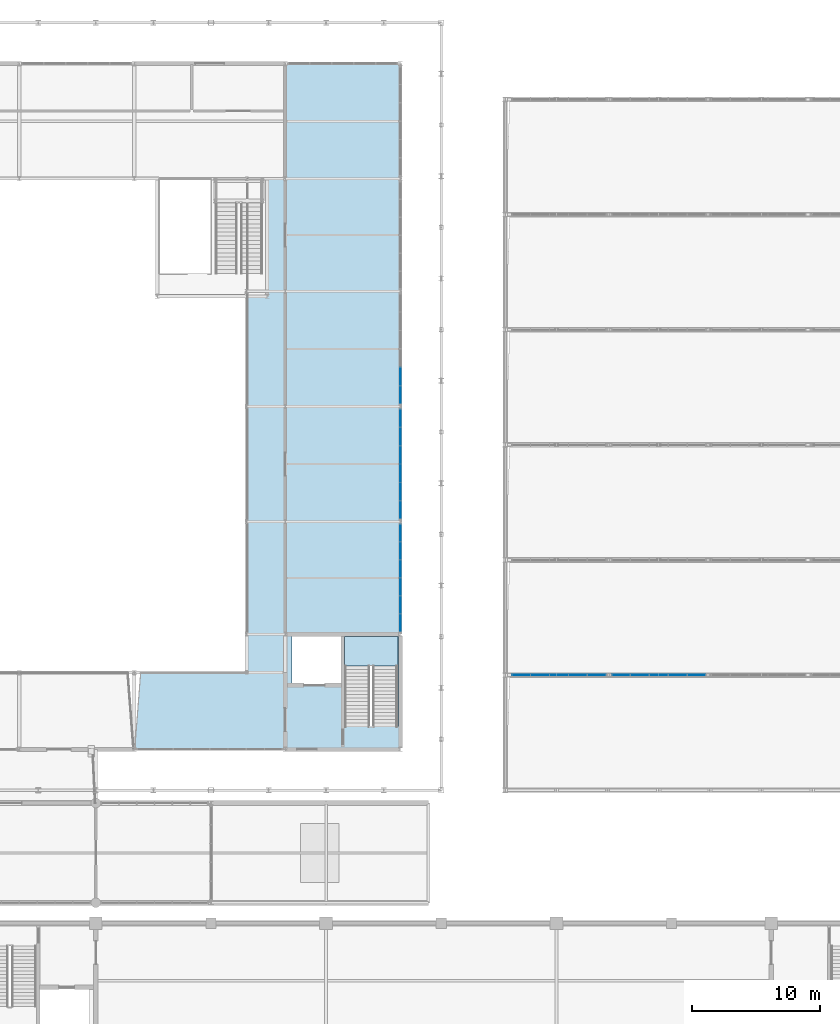
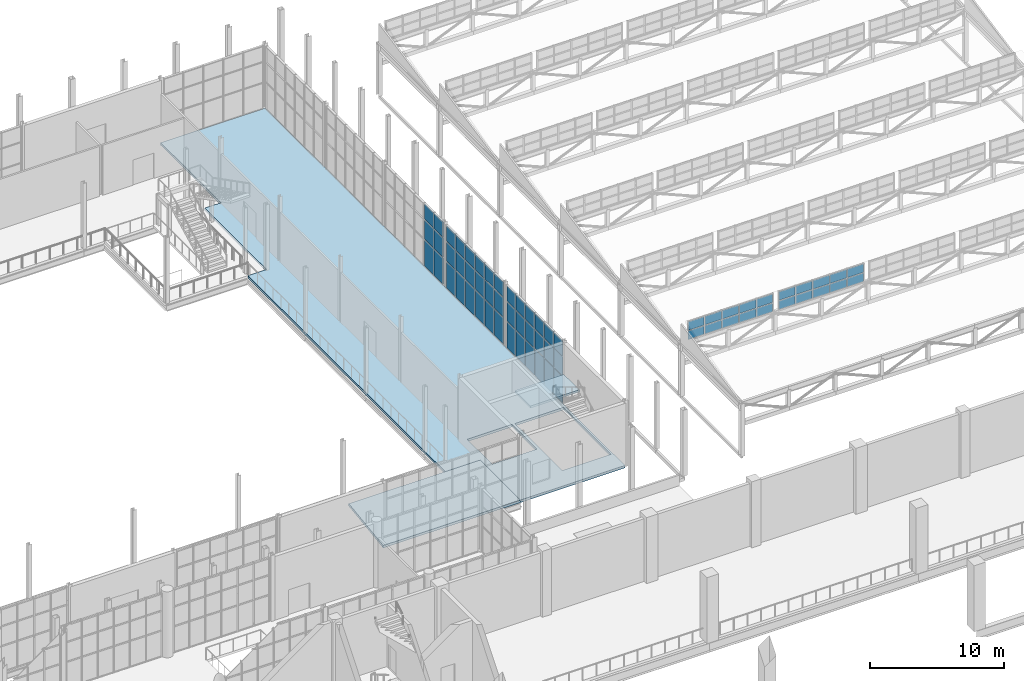
# One storey, part 113 of 159: 62 plates, 3 slabs, 6 elements without a shape of their own.
"""IFC4 building model written with IfcOpenShell, lengths in metres."""

import ifcopenshell
import ifcopenshell.guid

model = None  # the IFC model being written
_history = None  # IfcOwnerHistory: only IFC2X3 demands one
_inside = {}  # id of a spatial element -> (the spatial element, [elements in it])
_under = {}  # id of a project, library or spatial element -> (it, [spatial elements below it])
_declared = {}  # id of a project -> (the project, [libraries it declares])
_typed = {}  # id of a type object -> (the type object, [elements of that type])
_made_of = {}  # id of a material, layer set ... -> (it, [elements and type objects made of it])


def new_model(schema):
    """Start an empty IFC model of exactly this schema.

    Asked for "IFC4X3", IfcOpenShell would pick the latest addendum, in which some entities
    have other attributes; the version numbers below select the first issue.
    IFC2X3 requires an IfcOwnerHistory on every rooted entity: one is made here for all.
    """
    global model, _history
    if schema == "IFC4X3":
        model = ifcopenshell.file(schema_version=(4, 3, 0, 0))
    else:
        model = ifcopenshell.file(schema=schema)
    _inside.clear()
    _under.clear()
    _declared.clear()
    _typed.clear()
    _made_of.clear()
    _history = None
    if model.schema == "IFC2X3":
        org = make("IfcOrganization", Name="unknown")
        user = make(
            "IfcPersonAndOrganization",
            ThePerson=make("IfcPerson", FamilyName="unknown"),
            TheOrganization=org,
        )
        app = make(
            "IfcApplication",
            ApplicationDeveloper=org,
            Version="unknown",
            ApplicationFullName="unknown",
            ApplicationIdentifier="unknown",
        )
        _history = make(
            "IfcOwnerHistory",
            OwningUser=user,
            OwningApplication=app,
            ChangeAction="ADDED",
            CreationDate=0,
        )
    return model


def make(cls, **values):
    """One entity of the class cls with the attributes given. An attribute that is None is left unset."""
    return model.create_entity(
        cls, **{name: value for name, value in values.items() if value is not None}
    )


def rooted(cls, **values):
    """An entity with a GlobalId (a new one), such as an element, a storey or a relation."""
    return make(cls, GlobalId=ifcopenshell.guid.new(), OwnerHistory=_history, **values)


def si_unit(unit_type, name, prefix=None):
    """IfcSIUnit, for example si_unit("LENGTHUNIT", "METRE", prefix="MILLI")."""
    return make("IfcSIUnit", UnitType=unit_type, Prefix=prefix, Name=name)


def assignment(units):
    """IfcUnitAssignment: the units of a project."""
    return None if units is None else make("IfcUnitAssignment", Units=units)


def point(xyz):
    """IfcCartesianPoint."""
    return None if xyz is None else make("IfcCartesianPoint", Coordinates=xyz)


def direction(xyz):
    """IfcDirection."""
    return None if xyz is None else make("IfcDirection", DirectionRatios=xyz)


def frame(location, z_axis=None, x_axis=None):
    """IfcAxis2Placement3D, a coordinate frame: its origin and axes. An axis left out is left unset."""
    return make(
        "IfcAxis2Placement3D",
        Location=point(location),
        Axis=direction(z_axis),
        RefDirection=direction(x_axis),
    )


def frame_2d(location, x_axis=None):
    """IfcAxis2Placement2D, a coordinate frame in the plane: its origin and x axis."""
    return make(
        "IfcAxis2Placement2D", Location=point(location), RefDirection=direction(x_axis)
    )


def origin():
    """The frame at (0, 0, 0) with its axes left unset."""
    return frame((0.0, 0.0, 0.0))


def origin_2d():
    """The frame at (0, 0) in the plane with its x axis left unset."""
    return frame_2d((0.0, 0.0))


def place(relative_to, where):
    """IfcLocalPlacement: puts the frame where relative to a parent placement (None: the world)."""
    return make(
        "IfcLocalPlacement", PlacementRelTo=relative_to, RelativePlacement=where
    )


def context(
    kind, dimensions, precision=None, world=None, true_north=None, identifier=None
):
    """IfcGeometricRepresentationContext, for example the 3D "Model" context."""
    return make(
        "IfcGeometricRepresentationContext",
        ContextIdentifier=identifier,
        ContextType=kind,
        CoordinateSpaceDimension=dimensions,
        Precision=precision,
        WorldCoordinateSystem=world,
        TrueNorth=true_north,
    )


def subcontext(parent, identifier, kind, view, scale=None):
    """IfcGeometricRepresentationSubContext, for example "Body" below "Model"."""
    return make(
        "IfcGeometricRepresentationSubContext",
        ContextIdentifier=identifier,
        ContextType=kind,
        ParentContext=parent,
        TargetScale=scale,
        TargetView=view,
    )


def project(units=None, contexts=None):
    """IfcProject with its units and contexts."""
    return rooted(
        "IfcProject",
        Name="project",
        RepresentationContexts=contexts,
        UnitsInContext=assignment(units),
    )


def spatial(cls, under=None, at=None, **own):
    """A site, building, storey or space (cls), placed at a placement, below another one or the project."""
    s = rooted(cls, ObjectPlacement=at, **own)
    if under is not None:
        _under.setdefault(under.id(), (under, []))[1].append(s)
    return s


def polyline(points):
    """IfcPolyline through the points."""
    return make("IfcPolyline", Points=[point(p) for p in points])


def profile(cls, at=None, kind="AREA", **sizes):
    """A parametric profile (cls). Its sizes go by their IFC names, for example OverallWidth=200.0."""
    return make(cls, ProfileType=kind, Position=at, **sizes)


def rectangle(**sizes):
    """IfcRectangleProfileDef."""
    return profile("IfcRectangleProfileDef", **sizes)


def outline(outer, holes=None, kind="AREA"):
    """IfcArbitraryClosedProfileDef: a profile drawn as a closed curve; with holes, ...WithVoids."""
    if holes is None:
        return make("IfcArbitraryClosedProfileDef", ProfileType=kind, OuterCurve=outer)
    return make(
        "IfcArbitraryProfileDefWithVoids",
        ProfileType=kind,
        OuterCurve=outer,
        InnerCurves=holes,
    )


def extrude(swept, where, along, depth):
    """IfcExtrudedAreaSolid: the profile swept, set in the frame where, extruded along a direction by depth."""
    return make(
        "IfcExtrudedAreaSolid",
        SweptArea=swept,
        Position=where,
        ExtrudedDirection=direction(along),
        Depth=depth,
    )


def shape(context_of_items, identifier, shape_type, items):
    """IfcShapeRepresentation: the items that make up one representation, for example the "Body"."""
    return make(
        "IfcShapeRepresentation",
        ContextOfItems=context_of_items,
        RepresentationIdentifier=identifier,
        RepresentationType=shape_type,
        Items=items,
    )


def material(Name=None, Category=None):
    """IfcMaterial."""
    return make("IfcMaterial", Name=Name, Category=Category)


def layer(
    of_material, thickness, ventilated=None, Name=None, Category=None, Priority=None
):
    """IfcMaterialLayer: one layer of a wall or slab, of a material (None: an air gap)."""
    return make(
        "IfcMaterialLayer",
        Material=of_material,
        LayerThickness=thickness,
        IsVentilated=ventilated,
        Name=Name,
        Category=Category,
        Priority=Priority,
    )


def layer_set(layers, Name=None):
    """IfcMaterialLayerSet."""
    return make("IfcMaterialLayerSet", MaterialLayers=layers, LayerSetName=Name)


def made_of(thing, what):
    """Note that an element or type object is made of a material, layer set ...; save() writes the relation."""
    if what is not None:
        _made_of.setdefault(what.id(), (what, []))[1].append(thing)
    return thing


def type_object(cls, material=None, **own):
    """A type object (cls), such as IfcWallType, which elements share."""
    return made_of(rooted(cls, **own), material)


def element(
    cls,
    number,
    at=None,
    inside=None,
    cuts=None,
    type_object=None,
    material=None,
    context=None,
    identifier="Body",
    shape_type=None,
    held_by="IfcProductDefinitionShape",
    body=None,
    shapes=None,
    **own,
):
    """One element of the class cls, such as IfcWall. Its Tag is "e" and its number.

    at: its placement. inside: the storey or other place that contains it. cuts: it is an
    opening in that element (IfcRelVoidsElement). A single representation is given by context,
    identifier, shape_type and body (its items); several are given by shapes. held_by: the class
    of the entity that holds the representations. save() writes the other relations.
    """
    e = rooted(cls, Tag="e%d" % number, ObjectPlacement=at, **own)
    if body is not None:
        shapes = [shape(context, identifier, shape_type, body)]
    if shapes is not None:
        e.Representation = make(held_by, Representations=shapes)
    if inside is not None:
        _inside.setdefault(inside.id(), (inside, []))[1].append(e)
    if cuts is not None:
        rooted(
            "IfcRelVoidsElement", RelatingBuildingElement=cuts, RelatedOpeningElement=e
        )
    if type_object is not None:
        _typed.setdefault(type_object.id(), (type_object, []))[1].append(e)
    return made_of(e, material)


def aggregate(whole, parts):
    """IfcRelAggregates: a whole, such as a stair, and the parts it consists of."""
    return rooted("IfcRelAggregates", RelatingObject=whole, RelatedObjects=parts)


def save(model, path):
    """Write the relations noted so far, then the file.

    IfcRelAggregates (storeys below a building ...), IfcRelContainedInSpatialStructure (elements
    in a storey), IfcRelDefinesByType, IfcRelAssociatesMaterial and IfcRelDeclares: one each for
    every whole, place, type object, material and project.
    """
    for whole, parts in _under.values():
        aggregate(whole, parts)
    for where, things in _inside.values():
        rooted(
            "IfcRelContainedInSpatialStructure",
            RelatedElements=things,
            RelatingStructure=where,
        )
    for kind, things in _typed.values():
        rooted("IfcRelDefinesByType", RelatedObjects=things, RelatingType=kind)
    for what, things in _made_of.values():
        rooted("IfcRelAssociatesMaterial", RelatedObjects=things, RelatingMaterial=what)
    for by, libraries in _declared.values():
        rooted("IfcRelDeclares", RelatingContext=by, RelatedDefinitions=libraries)
    model.write(path)


model = new_model("IFC4")

# Units and contexts
model_context = context("Model", 3, precision=1e-05, world=origin(), true_north=direction((0.0, 1.0)))
body_context = subcontext(model_context, "Body", "Model", "MODEL_VIEW")
ifc_project = project(units=[si_unit("LENGTHUNIT", "METRE"), si_unit("AREAUNIT", "SQUARE_METRE"), si_unit("VOLUMEUNIT", "CUBIC_METRE"), si_unit("PLANEANGLEUNIT", "RADIAN"), si_unit("MASSUNIT", "GRAM", prefix="KILO")], contexts=[model_context])

# Site, building, storey
site_placement = place(None, origin())
site = spatial("IfcSite", under=ifc_project, at=site_placement, CompositionType="ELEMENT")
building_placement = place(site_placement, origin())
building = spatial("IfcBuilding", under=site, at=building_placement, Name="Cazmaro Siding Exhibition Halls", CompositionType="ELEMENT")
storey_placement = place(building_placement, frame((0.0, 0.0, 6.0)))
storey = spatial("IfcBuildingStorey", under=building, at=storey_placement, Name="L01", CompositionType="ELEMENT", Elevation=6.0)

# Curtain wall, plates
ifc_material_1 = material(Name="Anodized Bronze Aluminum and Solar-Control Low-E Glazing", Category="aluminium")
ifc_layer_1 = layer(ifc_material_1, 0.219970703125)
ifc_layer_set_1 = layer_set([ifc_layer_1], Name="Anodized Bronze Aluminum and Solar-Control Low-E Glazing")
curtain_wall_type_1 = type_object("IfcCurtainWallType", Name="CWS-03", PredefinedType="USERDEFINED", material=ifc_layer_set_1)
curtain_wall_1_placement = place(storey_placement, origin())
curtain_wall_1 = element("IfcCurtainWall", 1, at=curtain_wall_1_placement, inside=storey, type_object=curtain_wall_type_1, Name="Glazed Curtain Wall CWS-03 CW-066", ObjectType="GLAZED CURTAIN WALL", PredefinedType="USERDEFINED")
ifc_material_2 = material(Name="Solar-Control Low-E Double Insulating Glass", Category="glass")
ifc_layer_2 = layer(ifc_material_2, 0.0458984375)
ifc_layer_set_2 = layer_set([ifc_layer_2], Name="Solar-Control Low-E Double Insulating Glass")
plate_type_1 = type_object("IfcPlateType", Name="CWP-03", PredefinedType="CURTAIN_PANEL", material=ifc_layer_set_2)
plate_1_placement = place(storey_placement, frame((167.800048828125, 77.098388671875, 0.070068359375), z_axis=(0.0, 0.0, 1.0), x_axis=(0.0, 1.0, 0.0)))
plate_1 = element("IfcPlate", 2, at=plate_1_placement, type_object=plate_type_1, Name="CWS-03 panel 1.1", PredefinedType="CURTAIN_PANEL", context=body_context, shape_type="SweptSolid", body=[
    extrude(rectangle(XDim=1.302734375, YDim=0.0458984375, at=origin_2d()), origin(), (0.0, 0.0, 1.0), 2.39501953125),
])
plate_2_placement = place(storey_placement, frame((167.800048828125, 77.098388671875, 2.534912109375), z_axis=(0.0, 0.0, 1.0), x_axis=(0.0, 1.0, 0.0)))
plate_2 = element("IfcPlate", 3, at=plate_2_placement, type_object=plate_type_1, Name="CWS-03 panel 1.2", PredefinedType="CURTAIN_PANEL", context=body_context, shape_type="SweptSolid", body=[
    extrude(rectangle(XDim=1.302734375, YDim=0.0458984375, at=origin_2d()), origin(), (0.0, 0.0, 1.0), 1.72998046875),
])
plate_3_placement = place(storey_placement, frame((167.800048828125, 77.098388671875, 4.3349609375), z_axis=(0.0, 0.0, 1.0), x_axis=(0.0, 1.0, 0.0)))
plate_3 = element("IfcPlate", 4, at=plate_3_placement, type_object=plate_type_1, Name="CWS-03 panel 1.3", PredefinedType="CURTAIN_PANEL", context=body_context, shape_type="SweptSolid", body=[
    extrude(rectangle(XDim=1.302734375, YDim=0.0458984375, at=origin_2d()), origin(), (0.0, 0.0, 1.0), 1.375),
])
plate_4_placement = place(storey_placement, frame((167.800048828125, 78.488525390625, 0.070068359375), z_axis=(0.0, 0.0, 1.0), x_axis=(0.0, 1.0, 0.0)))
plate_4 = element("IfcPlate", 5, at=plate_4_placement, type_object=plate_type_1, Name="CWS-03 panel 2.1", PredefinedType="CURTAIN_PANEL", context=body_context, shape_type="SweptSolid", body=[
    extrude(rectangle(XDim=1.337646484375, YDim=0.0458984375, at=origin_2d()), origin(), (0.0, 0.0, 1.0), 2.39501953125),
])
plate_5_placement = place(storey_placement, frame((167.800048828125, 78.488525390625, 2.534912109375), z_axis=(0.0, 0.0, 1.0), x_axis=(0.0, 1.0, 0.0)))
plate_5 = element("IfcPlate", 6, at=plate_5_placement, type_object=plate_type_1, Name="CWS-03 panel 2.2", PredefinedType="CURTAIN_PANEL", context=body_context, shape_type="SweptSolid", body=[
    extrude(rectangle(XDim=1.337646484375, YDim=0.0458984375, at=origin_2d()), origin(), (0.0, 0.0, 1.0), 1.72998046875),
])
plate_6_placement = place(storey_placement, frame((167.800048828125, 78.488525390625, 4.3349609375), z_axis=(0.0, 0.0, 1.0), x_axis=(0.0, 1.0, 0.0)))
plate_6 = element("IfcPlate", 7, at=plate_6_placement, type_object=plate_type_1, Name="CWS-03 panel 2.3", PredefinedType="CURTAIN_PANEL", context=body_context, shape_type="SweptSolid", body=[
    extrude(rectangle(XDim=1.337646484375, YDim=0.0458984375, at=origin_2d()), origin(), (0.0, 0.0, 1.0), 1.375),
])
plate_7_placement = place(storey_placement, frame((167.800048828125, 79.896240234375, 0.070068359375), z_axis=(0.0, 0.0, 1.0), x_axis=(0.0, 1.0, 0.0)))
plate_7 = element("IfcPlate", 8, at=plate_7_placement, type_object=plate_type_1, Name="CWS-03 panel 3.1", PredefinedType="CURTAIN_PANEL", context=body_context, shape_type="SweptSolid", body=[
    extrude(rectangle(XDim=1.337646484375, YDim=0.0458984375, at=origin_2d()), origin(), (0.0, 0.0, 1.0), 2.39501953125),
])
plate_8_placement = place(storey_placement, frame((167.800048828125, 79.896240234375, 2.534912109375), z_axis=(0.0, 0.0, 1.0), x_axis=(0.0, 1.0, 0.0)))
plate_8 = element("IfcPlate", 9, at=plate_8_placement, type_object=plate_type_1, Name="CWS-03 panel 3.2", PredefinedType="CURTAIN_PANEL", context=body_context, shape_type="SweptSolid", body=[
    extrude(rectangle(XDim=1.337646484375, YDim=0.0458984375, at=origin_2d()), origin(), (0.0, 0.0, 1.0), 1.72998046875),
])
plate_9_placement = place(storey_placement, frame((167.800048828125, 79.896240234375, 4.3349609375), z_axis=(0.0, 0.0, 1.0), x_axis=(0.0, 1.0, 0.0)))
plate_9 = element("IfcPlate", 10, at=plate_9_placement, type_object=plate_type_1, Name="CWS-03 panel 3.3", PredefinedType="CURTAIN_PANEL", context=body_context, shape_type="SweptSolid", body=[
    extrude(rectangle(XDim=1.337646484375, YDim=0.0458984375, at=origin_2d()), origin(), (0.0, 0.0, 1.0), 1.375),
])
plate_10_placement = place(storey_placement, frame((167.800048828125, 81.303955078125, 0.070068359375), z_axis=(0.0, 0.0, 1.0), x_axis=(0.0, 1.0, 0.0)))
plate_10 = element("IfcPlate", 11, at=plate_10_placement, type_object=plate_type_1, Name="CWS-03 panel 4.1", PredefinedType="CURTAIN_PANEL", context=body_context, shape_type="SweptSolid", body=[
    extrude(rectangle(XDim=1.337646484375, YDim=0.0458984375, at=origin_2d()), origin(), (0.0, 0.0, 1.0), 2.39501953125),
])
plate_11_placement = place(storey_placement, frame((167.800048828125, 81.303955078125, 2.534912109375), z_axis=(0.0, 0.0, 1.0), x_axis=(0.0, 1.0, 0.0)))
plate_11 = element("IfcPlate", 12, at=plate_11_placement, type_object=plate_type_1, Name="CWS-03 panel 4.2", PredefinedType="CURTAIN_PANEL", context=body_context, shape_type="SweptSolid", body=[
    extrude(rectangle(XDim=1.337646484375, YDim=0.0458984375, at=origin_2d()), origin(), (0.0, 0.0, 1.0), 1.72998046875),
])
plate_12_placement = place(storey_placement, frame((167.800048828125, 81.303955078125, 4.3349609375), z_axis=(0.0, 0.0, 1.0), x_axis=(0.0, 1.0, 0.0)))
plate_12 = element("IfcPlate", 13, at=plate_12_placement, type_object=plate_type_1, Name="CWS-03 panel 4.3", PredefinedType="CURTAIN_PANEL", context=body_context, shape_type="SweptSolid", body=[
    extrude(rectangle(XDim=1.337646484375, YDim=0.0458984375, at=origin_2d()), origin(), (0.0, 0.0, 1.0), 1.375),
])
plate_13_placement = place(storey_placement, frame((167.800048828125, 82.71142578125, 0.070068359375), z_axis=(0.0, 0.0, 1.0), x_axis=(0.0, 1.0, 0.0)))
plate_13 = element("IfcPlate", 14, at=plate_13_placement, type_object=plate_type_1, Name="CWS-03 panel 5.1", PredefinedType="CURTAIN_PANEL", context=body_context, shape_type="SweptSolid", body=[
    extrude(rectangle(XDim=1.337646484375, YDim=0.0458984375, at=origin_2d()), origin(), (0.0, 0.0, 1.0), 2.39501953125),
])
plate_14_placement = place(storey_placement, frame((167.800048828125, 82.71142578125, 2.534912109375), z_axis=(0.0, 0.0, 1.0), x_axis=(0.0, 1.0, 0.0)))
plate_14 = element("IfcPlate", 15, at=plate_14_placement, type_object=plate_type_1, Name="CWS-03 panel 5.2", PredefinedType="CURTAIN_PANEL", context=body_context, shape_type="SweptSolid", body=[
    extrude(rectangle(XDim=1.337646484375, YDim=0.0458984375, at=origin_2d()), origin(), (0.0, 0.0, 1.0), 1.72998046875),
])
plate_15_placement = place(storey_placement, frame((167.800048828125, 82.71142578125, 4.3349609375), z_axis=(0.0, 0.0, 1.0), x_axis=(0.0, 1.0, 0.0)))
plate_15 = element("IfcPlate", 16, at=plate_15_placement, type_object=plate_type_1, Name="CWS-03 panel 5.3", PredefinedType="CURTAIN_PANEL", context=body_context, shape_type="SweptSolid", body=[
    extrude(rectangle(XDim=1.337646484375, YDim=0.0458984375, at=origin_2d()), origin(), (0.0, 0.0, 1.0), 1.375),
])
plate_16_placement = place(storey_placement, frame((167.800048828125, 84.1015625, 0.070068359375), z_axis=(0.0, 0.0, 1.0), x_axis=(0.0, 1.0, 0.0)))
plate_16 = element("IfcPlate", 17, at=plate_16_placement, type_object=plate_type_1, Name="CWS-03 panel 6.1", PredefinedType="CURTAIN_PANEL", context=body_context, shape_type="SweptSolid", body=[
    extrude(rectangle(XDim=1.302734375, YDim=0.0458984375, at=origin_2d()), origin(), (0.0, 0.0, 1.0), 2.39501953125),
])
plate_17_placement = place(storey_placement, frame((167.800048828125, 84.1015625, 2.534912109375), z_axis=(0.0, 0.0, 1.0), x_axis=(0.0, 1.0, 0.0)))
plate_17 = element("IfcPlate", 18, at=plate_17_placement, type_object=plate_type_1, Name="CWS-03 panel 6.2", PredefinedType="CURTAIN_PANEL", context=body_context, shape_type="SweptSolid", body=[
    extrude(rectangle(XDim=1.302734375, YDim=0.0458984375, at=origin_2d()), origin(), (0.0, 0.0, 1.0), 1.72998046875),
])
plate_18_placement = place(storey_placement, frame((167.800048828125, 84.1015625, 4.3349609375), z_axis=(0.0, 0.0, 1.0), x_axis=(0.0, 1.0, 0.0)))
plate_18 = element("IfcPlate", 19, at=plate_18_placement, type_object=plate_type_1, Name="CWS-03 panel 6.3", PredefinedType="CURTAIN_PANEL", context=body_context, shape_type="SweptSolid", body=[
    extrude(rectangle(XDim=1.302734375, YDim=0.0458984375, at=origin_2d()), origin(), (0.0, 0.0, 1.0), 1.375),
])
aggregate(curtain_wall_1, [plate_1, plate_2, plate_3, plate_4, plate_5, plate_6, plate_7, plate_8, plate_9, plate_10, plate_11, plate_12, plate_13, plate_14, plate_15, plate_16, plate_17, plate_18])

curtain_wall_2_placement = place(storey_placement, origin())
curtain_wall_2 = element("IfcCurtainWall", 20, at=curtain_wall_2_placement, inside=storey, type_object=curtain_wall_type_1, Name="Glazed Curtain Wall CWS-03 CW-069", ObjectType="GLAZED CURTAIN WALL", PredefinedType="USERDEFINED")
plate_19_placement = place(storey_placement, frame((167.800048828125, 85.9150390625, 0.070068359375), z_axis=(0.0, 0.0, 1.0), x_axis=(0.0, 1.0, 0.0)))
plate_19 = element("IfcPlate", 21, at=plate_19_placement, type_object=plate_type_1, Name="CWS-03 panel 1.1", PredefinedType="CURTAIN_PANEL", context=body_context, shape_type="SweptSolid", body=[
    extrude(rectangle(XDim=1.3359375, YDim=0.0458984375, at=origin_2d()), origin(), (0.0, 0.0, 1.0), 2.39501953125),
])
plate_20_placement = place(storey_placement, frame((167.800048828125, 85.9150390625, 2.534912109375), z_axis=(0.0, 0.0, 1.0), x_axis=(0.0, 1.0, 0.0)))
plate_20 = element("IfcPlate", 22, at=plate_20_placement, type_object=plate_type_1, Name="CWS-03 panel 1.2", PredefinedType="CURTAIN_PANEL", context=body_context, shape_type="SweptSolid", body=[
    extrude(rectangle(XDim=1.3359375, YDim=0.0458984375, at=origin_2d()), origin(), (0.0, 0.0, 1.0), 1.72998046875),
])
plate_21_placement = place(storey_placement, frame((167.800048828125, 85.9150390625, 4.3349609375), z_axis=(0.0, 0.0, 1.0), x_axis=(0.0, 1.0, 0.0)))
plate_21 = element("IfcPlate", 23, at=plate_21_placement, type_object=plate_type_1, Name="CWS-03 panel 1.3", PredefinedType="CURTAIN_PANEL", context=body_context, shape_type="SweptSolid", body=[
    extrude(rectangle(XDim=1.3359375, YDim=0.0458984375, at=origin_2d()), origin(), (0.0, 0.0, 1.0), 1.375),
])
plate_22_placement = place(storey_placement, frame((167.800048828125, 87.33837890625, 0.070068359375), z_axis=(0.0, 0.0, 1.0), x_axis=(0.0, 1.0, 0.0)))
plate_22 = element("IfcPlate", 24, at=plate_22_placement, type_object=plate_type_1, Name="CWS-03 panel 2.1", PredefinedType="CURTAIN_PANEL", context=body_context, shape_type="SweptSolid", body=[
    extrude(rectangle(XDim=1.37109375, YDim=0.0458984375, at=origin_2d()), origin(), (0.0, 0.0, 1.0), 2.39501953125),
])
plate_23_placement = place(storey_placement, frame((167.800048828125, 87.33837890625, 2.534912109375), z_axis=(0.0, 0.0, 1.0), x_axis=(0.0, 1.0, 0.0)))
plate_23 = element("IfcPlate", 25, at=plate_23_placement, type_object=plate_type_1, Name="CWS-03 panel 2.2", PredefinedType="CURTAIN_PANEL", context=body_context, shape_type="SweptSolid", body=[
    extrude(rectangle(XDim=1.37109375, YDim=0.0458984375, at=origin_2d()), origin(), (0.0, 0.0, 1.0), 1.72998046875),
])
plate_24_placement = place(storey_placement, frame((167.800048828125, 87.33837890625, 4.3349609375), z_axis=(0.0, 0.0, 1.0), x_axis=(0.0, 1.0, 0.0)))
plate_24 = element("IfcPlate", 26, at=plate_24_placement, type_object=plate_type_1, Name="CWS-03 panel 2.3", PredefinedType="CURTAIN_PANEL", context=body_context, shape_type="SweptSolid", body=[
    extrude(rectangle(XDim=1.37109375, YDim=0.0458984375, at=origin_2d()), origin(), (0.0, 0.0, 1.0), 1.375),
])
plate_25_placement = place(storey_placement, frame((167.800048828125, 88.779541015625, 0.070068359375), z_axis=(0.0, 0.0, 1.0), x_axis=(0.0, 1.0, 0.0)))
plate_25 = element("IfcPlate", 27, at=plate_25_placement, type_object=plate_type_1, Name="CWS-03 panel 3.1", PredefinedType="CURTAIN_PANEL", context=body_context, shape_type="SweptSolid", body=[
    extrude(rectangle(XDim=1.37109375, YDim=0.0458984375, at=origin_2d()), origin(), (0.0, 0.0, 1.0), 2.39501953125),
])
plate_26_placement = place(storey_placement, frame((167.800048828125, 88.779541015625, 2.534912109375), z_axis=(0.0, 0.0, 1.0), x_axis=(0.0, 1.0, 0.0)))
plate_26 = element("IfcPlate", 28, at=plate_26_placement, type_object=plate_type_1, Name="CWS-03 panel 3.2", PredefinedType="CURTAIN_PANEL", context=body_context, shape_type="SweptSolid", body=[
    extrude(rectangle(XDim=1.37109375, YDim=0.0458984375, at=origin_2d()), origin(), (0.0, 0.0, 1.0), 1.72998046875),
])
plate_27_placement = place(storey_placement, frame((167.800048828125, 88.779541015625, 4.3349609375), z_axis=(0.0, 0.0, 1.0), x_axis=(0.0, 1.0, 0.0)))
plate_27 = element("IfcPlate", 29, at=plate_27_placement, type_object=plate_type_1, Name="CWS-03 panel 3.3", PredefinedType="CURTAIN_PANEL", context=body_context, shape_type="SweptSolid", body=[
    extrude(rectangle(XDim=1.37109375, YDim=0.0458984375, at=origin_2d()), origin(), (0.0, 0.0, 1.0), 1.375),
])
plate_28_placement = place(storey_placement, frame((167.800048828125, 90.220458984375, 0.070068359375), z_axis=(0.0, 0.0, 1.0), x_axis=(0.0, 1.0, 0.0)))
plate_28 = element("IfcPlate", 30, at=plate_28_placement, type_object=plate_type_1, Name="CWS-03 panel 4.1", PredefinedType="CURTAIN_PANEL", context=body_context, shape_type="SweptSolid", body=[
    extrude(rectangle(XDim=1.37109375, YDim=0.0458984375, at=origin_2d()), origin(), (0.0, 0.0, 1.0), 2.39501953125),
])
plate_29_placement = place(storey_placement, frame((167.800048828125, 90.220458984375, 2.534912109375), z_axis=(0.0, 0.0, 1.0), x_axis=(0.0, 1.0, 0.0)))
plate_29 = element("IfcPlate", 31, at=plate_29_placement, type_object=plate_type_1, Name="CWS-03 panel 4.2", PredefinedType="CURTAIN_PANEL", context=body_context, shape_type="SweptSolid", body=[
    extrude(rectangle(XDim=1.37109375, YDim=0.0458984375, at=origin_2d()), origin(), (0.0, 0.0, 1.0), 1.72998046875),
])
plate_30_placement = place(storey_placement, frame((167.800048828125, 90.220458984375, 4.3349609375), z_axis=(0.0, 0.0, 1.0), x_axis=(0.0, 1.0, 0.0)))
plate_30 = element("IfcPlate", 32, at=plate_30_placement, type_object=plate_type_1, Name="CWS-03 panel 4.3", PredefinedType="CURTAIN_PANEL", context=body_context, shape_type="SweptSolid", body=[
    extrude(rectangle(XDim=1.37109375, YDim=0.0458984375, at=origin_2d()), origin(), (0.0, 0.0, 1.0), 1.375),
])
plate_31_placement = place(storey_placement, frame((167.800048828125, 91.66162109375, 0.070068359375), z_axis=(0.0, 0.0, 1.0), x_axis=(0.0, 1.0, 0.0)))
plate_31 = element("IfcPlate", 33, at=plate_31_placement, type_object=plate_type_1, Name="CWS-03 panel 5.1", PredefinedType="CURTAIN_PANEL", context=body_context, shape_type="SweptSolid", body=[
    extrude(rectangle(XDim=1.37109375, YDim=0.0458984375, at=origin_2d()), origin(), (0.0, 0.0, 1.0), 2.39501953125),
])
plate_32_placement = place(storey_placement, frame((167.800048828125, 91.66162109375, 2.534912109375), z_axis=(0.0, 0.0, 1.0), x_axis=(0.0, 1.0, 0.0)))
plate_32 = element("IfcPlate", 34, at=plate_32_placement, type_object=plate_type_1, Name="CWS-03 panel 5.2", PredefinedType="CURTAIN_PANEL", context=body_context, shape_type="SweptSolid", body=[
    extrude(rectangle(XDim=1.37109375, YDim=0.0458984375, at=origin_2d()), origin(), (0.0, 0.0, 1.0), 1.72998046875),
])
plate_33_placement = place(storey_placement, frame((167.800048828125, 91.66162109375, 4.3349609375), z_axis=(0.0, 0.0, 1.0), x_axis=(0.0, 1.0, 0.0)))
plate_33 = element("IfcPlate", 35, at=plate_33_placement, type_object=plate_type_1, Name="CWS-03 panel 5.3", PredefinedType="CURTAIN_PANEL", context=body_context, shape_type="SweptSolid", body=[
    extrude(rectangle(XDim=1.37109375, YDim=0.0458984375, at=origin_2d()), origin(), (0.0, 0.0, 1.0), 1.375),
])
plate_34_placement = place(storey_placement, frame((167.800048828125, 93.0849609375, 0.070068359375), z_axis=(0.0, 0.0, 1.0), x_axis=(0.0, 1.0, 0.0)))
plate_34 = element("IfcPlate", 36, at=plate_34_placement, type_object=plate_type_1, Name="CWS-03 panel 6.1", PredefinedType="CURTAIN_PANEL", context=body_context, shape_type="SweptSolid", body=[
    extrude(rectangle(XDim=1.3359375, YDim=0.0458984375, at=origin_2d()), origin(), (0.0, 0.0, 1.0), 2.39501953125),
])
plate_35_placement = place(storey_placement, frame((167.800048828125, 93.0849609375, 2.534912109375), z_axis=(0.0, 0.0, 1.0), x_axis=(0.0, 1.0, 0.0)))
plate_35 = element("IfcPlate", 37, at=plate_35_placement, type_object=plate_type_1, Name="CWS-03 panel 6.2", PredefinedType="CURTAIN_PANEL", context=body_context, shape_type="SweptSolid", body=[
    extrude(rectangle(XDim=1.3359375, YDim=0.0458984375, at=origin_2d()), origin(), (0.0, 0.0, 1.0), 1.72998046875),
])
plate_36_placement = place(storey_placement, frame((167.800048828125, 93.0849609375, 4.3349609375), z_axis=(0.0, 0.0, 1.0), x_axis=(0.0, 1.0, 0.0)))
plate_36 = element("IfcPlate", 38, at=plate_36_placement, type_object=plate_type_1, Name="CWS-03 panel 6.3", PredefinedType="CURTAIN_PANEL", context=body_context, shape_type="SweptSolid", body=[
    extrude(rectangle(XDim=1.3359375, YDim=0.0458984375, at=origin_2d()), origin(), (0.0, 0.0, 1.0), 1.375),
])
aggregate(curtain_wall_2, [plate_19, plate_20, plate_21, plate_22, plate_23, plate_24, plate_25, plate_26, plate_27, plate_28, plate_29, plate_30, plate_31, plate_32, plate_33, plate_34, plate_35, plate_36])

curtain_wall_3_placement = place(storey_placement, origin())
curtain_wall_3 = element("IfcCurtainWall", 39, at=curtain_wall_3_placement, inside=storey, type_object=curtain_wall_type_1, Name="Glazed Curtain Wall CWS-03 CW-072", ObjectType="GLAZED CURTAIN WALL", PredefinedType="USERDEFINED")
plate_37_placement = place(storey_placement, frame((167.800048828125, 94.9150390625, 0.070068359375), z_axis=(0.0, 0.0, 1.0), x_axis=(0.0, 1.0, 0.0)))
plate_37 = element("IfcPlate", 40, at=plate_37_placement, type_object=plate_type_1, Name="CWS-03 panel 1.1", PredefinedType="CURTAIN_PANEL", context=body_context, shape_type="SweptSolid", body=[
    extrude(rectangle(XDim=1.3359375, YDim=0.0458984375, at=origin_2d()), origin(), (0.0, 0.0, 1.0), 2.39501953125),
])
plate_38_placement = place(storey_placement, frame((167.800048828125, 94.9150390625, 2.534912109375), z_axis=(0.0, 0.0, 1.0), x_axis=(0.0, 1.0, 0.0)))
plate_38 = element("IfcPlate", 41, at=plate_38_placement, type_object=plate_type_1, Name="CWS-03 panel 1.2", PredefinedType="CURTAIN_PANEL", context=body_context, shape_type="SweptSolid", body=[
    extrude(rectangle(XDim=1.3359375, YDim=0.0458984375, at=origin_2d()), origin(), (0.0, 0.0, 1.0), 1.72998046875),
])
plate_39_placement = place(storey_placement, frame((167.800048828125, 94.9150390625, 4.3349609375), z_axis=(0.0, 0.0, 1.0), x_axis=(0.0, 1.0, 0.0)))
plate_39 = element("IfcPlate", 42, at=plate_39_placement, type_object=plate_type_1, Name="CWS-03 panel 1.3", PredefinedType="CURTAIN_PANEL", context=body_context, shape_type="SweptSolid", body=[
    extrude(rectangle(XDim=1.3359375, YDim=0.0458984375, at=origin_2d()), origin(), (0.0, 0.0, 1.0), 1.375),
])
plate_40_placement = place(storey_placement, frame((167.800048828125, 96.33837890625, 0.070068359375), z_axis=(0.0, 0.0, 1.0), x_axis=(0.0, 1.0, 0.0)))
plate_40 = element("IfcPlate", 43, at=plate_40_placement, type_object=plate_type_1, Name="CWS-03 panel 2.1", PredefinedType="CURTAIN_PANEL", context=body_context, shape_type="SweptSolid", body=[
    extrude(rectangle(XDim=1.37109375, YDim=0.0458984375, at=origin_2d()), origin(), (0.0, 0.0, 1.0), 2.39501953125),
])
plate_41_placement = place(storey_placement, frame((167.800048828125, 96.33837890625, 2.534912109375), z_axis=(0.0, 0.0, 1.0), x_axis=(0.0, 1.0, 0.0)))
plate_41 = element("IfcPlate", 44, at=plate_41_placement, type_object=plate_type_1, Name="CWS-03 panel 2.2", PredefinedType="CURTAIN_PANEL", context=body_context, shape_type="SweptSolid", body=[
    extrude(rectangle(XDim=1.37109375, YDim=0.0458984375, at=origin_2d()), origin(), (0.0, 0.0, 1.0), 1.72998046875),
])
plate_42_placement = place(storey_placement, frame((167.800048828125, 96.33837890625, 4.3349609375), z_axis=(0.0, 0.0, 1.0), x_axis=(0.0, 1.0, 0.0)))
plate_42 = element("IfcPlate", 45, at=plate_42_placement, type_object=plate_type_1, Name="CWS-03 panel 2.3", PredefinedType="CURTAIN_PANEL", context=body_context, shape_type="SweptSolid", body=[
    extrude(rectangle(XDim=1.37109375, YDim=0.0458984375, at=origin_2d()), origin(), (0.0, 0.0, 1.0), 1.375),
])
aggregate(curtain_wall_3, [plate_37, plate_38, plate_39, plate_40, plate_41, plate_42])

ifc_material_3 = material(Name="Anodized Bronze Aluminum and Solar-Control Low-E Glazing", Category="aluminium")
ifc_layer_3 = layer(ifc_material_3, 0.159912109375)
ifc_layer_set_3 = layer_set([ifc_layer_3], Name="Anodized Bronze Aluminum and Solar-Control Low-E Glazing")
curtain_wall_type_2 = type_object("IfcCurtainWallType", Name="CWS-04", PredefinedType="USERDEFINED", material=ifc_layer_set_3)
curtain_wall_4_placement = place(storey_placement, origin())
curtain_wall_4 = element("IfcCurtainWall", 46, at=curtain_wall_4_placement, inside=storey, type_object=curtain_wall_type_2, Name="Clerestory Curtain Wall CWS-04 CW-110", ObjectType="CLERESTORY CURTAIN WALL", PredefinedType="USERDEFINED")
ifc_material_4 = material(Name="Solar-Control Low-E Double Insulating Glass", Category="glass")
ifc_layer_4 = layer(ifc_material_4, 0.028076171875)
ifc_layer_set_4 = layer_set([ifc_layer_4], Name="Solar-Control Low-E Double Insulating Glass")
plate_type_2 = type_object("IfcPlateType", Name="CWP-04", PredefinedType="CURTAIN_PANEL", material=ifc_layer_set_4)
plate_43_placement = place(storey_placement, frame((183.14501953125, 73.0, 4.85986328125), z_axis=(0.0, 0.0, 1.0), x_axis=(-1.0, 0.0, 0.0)))
plate_43 = element("IfcPlate", 47, at=plate_43_placement, type_object=plate_type_2, Name="CWS-04 panel 1.1", PredefinedType="CURTAIN_PANEL", context=body_context, shape_type="SweptSolid", body=[
    extrude(rectangle(XDim=1.389892578125, YDim=0.028076171875, at=origin_2d()), origin(), (0.0, 0.0, 1.0), 0.7900390625),
])
plate_44_placement = place(storey_placement, frame((183.14501953125, 73.0, 5.7099609375), z_axis=(0.0, 0.0, 1.0), x_axis=(-1.0, 0.0, 0.0)))
plate_44 = element("IfcPlate", 48, at=plate_44_placement, type_object=plate_type_2, Name="CWS-04 panel 1.2", PredefinedType="CURTAIN_PANEL", context=body_context, shape_type="SweptSolid", body=[
    extrude(rectangle(XDim=1.389892578125, YDim=0.028076171875, at=origin_2d()), origin(), (0.0, 0.0, 1.0), 0.780029296875),
])
plate_45_placement = place(storey_placement, frame((181.679931640625, 73.0, 4.85986328125), z_axis=(0.0, 0.0, 1.0), x_axis=(-1.0, 0.0, 0.0)))
plate_45 = element("IfcPlate", 49, at=plate_45_placement, type_object=plate_type_2, Name="CWS-04 panel 2.1", PredefinedType="CURTAIN_PANEL", context=body_context, shape_type="SweptSolid", body=[
    extrude(rectangle(XDim=1.419921875, YDim=0.028076171875, at=origin_2d()), origin(), (0.0, 0.0, 1.0), 0.7900390625),
])
plate_46_placement = place(storey_placement, frame((181.679931640625, 73.0, 5.7099609375), z_axis=(0.0, 0.0, 1.0), x_axis=(-1.0, 0.0, 0.0)))
plate_46 = element("IfcPlate", 50, at=plate_46_placement, type_object=plate_type_2, Name="CWS-04 panel 2.2", PredefinedType="CURTAIN_PANEL", context=body_context, shape_type="SweptSolid", body=[
    extrude(rectangle(XDim=1.419921875, YDim=0.028076171875, at=origin_2d()), origin(), (0.0, 0.0, 1.0), 0.780029296875),
])
plate_47_placement = place(storey_placement, frame((180.199951171875, 73.0, 4.85986328125), z_axis=(0.0, 0.0, 1.0), x_axis=(-1.0, 0.0, 0.0)))
plate_47 = element("IfcPlate", 51, at=plate_47_placement, type_object=plate_type_2, Name="CWS-04 panel 3.1", PredefinedType="CURTAIN_PANEL", context=body_context, shape_type="SweptSolid", body=[
    extrude(rectangle(XDim=1.419921875, YDim=0.028076171875, at=origin_2d()), origin(), (0.0, 0.0, 1.0), 0.7900390625),
])
plate_48_placement = place(storey_placement, frame((180.199951171875, 73.0, 5.7099609375), z_axis=(0.0, 0.0, 1.0), x_axis=(-1.0, 0.0, 0.0)))
plate_48 = element("IfcPlate", 52, at=plate_48_placement, type_object=plate_type_2, Name="CWS-04 panel 3.2", PredefinedType="CURTAIN_PANEL", context=body_context, shape_type="SweptSolid", body=[
    extrude(rectangle(XDim=1.419921875, YDim=0.028076171875, at=origin_2d()), origin(), (0.0, 0.0, 1.0), 0.780029296875),
])
plate_49_placement = place(storey_placement, frame((178.719970703125, 73.0, 4.85986328125), z_axis=(0.0, 0.0, 1.0), x_axis=(-1.0, 0.0, 0.0)))
plate_49 = element("IfcPlate", 53, at=plate_49_placement, type_object=plate_type_2, Name="CWS-04 panel 4.1", PredefinedType="CURTAIN_PANEL", context=body_context, shape_type="SweptSolid", body=[
    extrude(rectangle(XDim=1.419921875, YDim=0.028076171875, at=origin_2d()), origin(), (0.0, 0.0, 1.0), 0.7900390625),
])
plate_50_placement = place(storey_placement, frame((178.719970703125, 73.0, 5.7099609375), z_axis=(0.0, 0.0, 1.0), x_axis=(-1.0, 0.0, 0.0)))
plate_50 = element("IfcPlate", 54, at=plate_50_placement, type_object=plate_type_2, Name="CWS-04 panel 4.2", PredefinedType="CURTAIN_PANEL", context=body_context, shape_type="SweptSolid", body=[
    extrude(rectangle(XDim=1.419921875, YDim=0.028076171875, at=origin_2d()), origin(), (0.0, 0.0, 1.0), 0.780029296875),
])
plate_51_placement = place(storey_placement, frame((177.2548828125, 73.0, 4.85986328125), z_axis=(0.0, 0.0, 1.0), x_axis=(-1.0, 0.0, 0.0)))
plate_51 = element("IfcPlate", 55, at=plate_51_placement, type_object=plate_type_2, Name="CWS-04 panel 5.1", PredefinedType="CURTAIN_PANEL", context=body_context, shape_type="SweptSolid", body=[
    extrude(rectangle(XDim=1.389892578125, YDim=0.028076171875, at=origin_2d()), origin(), (0.0, 0.0, 1.0), 0.7900390625),
])
plate_52_placement = place(storey_placement, frame((177.2548828125, 73.0, 5.7099609375), z_axis=(0.0, 0.0, 1.0), x_axis=(-1.0, 0.0, 0.0)))
plate_52 = element("IfcPlate", 56, at=plate_52_placement, type_object=plate_type_2, Name="CWS-04 panel 5.2", PredefinedType="CURTAIN_PANEL", context=body_context, shape_type="SweptSolid", body=[
    extrude(rectangle(XDim=1.389892578125, YDim=0.028076171875, at=origin_2d()), origin(), (0.0, 0.0, 1.0), 0.780029296875),
])
aggregate(curtain_wall_4, [plate_43, plate_44, plate_45, plate_46, plate_47, plate_48, plate_49, plate_50, plate_51, plate_52])

curtain_wall_5_placement = place(storey_placement, origin())
curtain_wall_5 = element("IfcCurtainWall", 57, at=curtain_wall_5_placement, inside=storey, type_object=curtain_wall_type_2, Name="Clerestory Curtain Wall CWS-04 CW-111", ObjectType="CLERESTORY CURTAIN WALL", PredefinedType="USERDEFINED")
plate_53_placement = place(storey_placement, frame((190.945068359375, 73.0, 4.85986328125), z_axis=(0.0, 0.0, 1.0), x_axis=(-1.0, 0.0, 0.0)))
plate_53 = element("IfcPlate", 58, at=plate_53_placement, type_object=plate_type_2, Name="CWS-04 panel 1.1", PredefinedType="CURTAIN_PANEL", context=body_context, shape_type="SweptSolid", body=[
    extrude(rectangle(XDim=1.389892578125, YDim=0.028076171875, at=origin_2d()), origin(), (0.0, 0.0, 1.0), 0.7900390625),
])
plate_54_placement = place(storey_placement, frame((190.945068359375, 73.0, 5.7099609375), z_axis=(0.0, 0.0, 1.0), x_axis=(-1.0, 0.0, 0.0)))
plate_54 = element("IfcPlate", 59, at=plate_54_placement, type_object=plate_type_2, Name="CWS-04 panel 1.2", PredefinedType="CURTAIN_PANEL", context=body_context, shape_type="SweptSolid", body=[
    extrude(rectangle(XDim=1.389892578125, YDim=0.028076171875, at=origin_2d()), origin(), (0.0, 0.0, 1.0), 0.780029296875),
])
plate_55_placement = place(storey_placement, frame((189.47998046875, 73.0, 4.85986328125), z_axis=(0.0, 0.0, 1.0), x_axis=(-1.0, 0.0, 0.0)))
plate_55 = element("IfcPlate", 60, at=plate_55_placement, type_object=plate_type_2, Name="CWS-04 panel 2.1", PredefinedType="CURTAIN_PANEL", context=body_context, shape_type="SweptSolid", body=[
    extrude(rectangle(XDim=1.419921875, YDim=0.028076171875, at=origin_2d()), origin(), (0.0, 0.0, 1.0), 0.7900390625),
])
plate_56_placement = place(storey_placement, frame((189.47998046875, 73.0, 5.7099609375), z_axis=(0.0, 0.0, 1.0), x_axis=(-1.0, 0.0, 0.0)))
plate_56 = element("IfcPlate", 61, at=plate_56_placement, type_object=plate_type_2, Name="CWS-04 panel 2.2", PredefinedType="CURTAIN_PANEL", context=body_context, shape_type="SweptSolid", body=[
    extrude(rectangle(XDim=1.419921875, YDim=0.028076171875, at=origin_2d()), origin(), (0.0, 0.0, 1.0), 0.780029296875),
])
plate_57_placement = place(storey_placement, frame((188.0, 73.0, 4.85986328125), z_axis=(0.0, 0.0, 1.0), x_axis=(-1.0, 0.0, 0.0)))
plate_57 = element("IfcPlate", 62, at=plate_57_placement, type_object=plate_type_2, Name="CWS-04 panel 3.1", PredefinedType="CURTAIN_PANEL", context=body_context, shape_type="SweptSolid", body=[
    extrude(rectangle(XDim=1.419921875, YDim=0.028076171875, at=origin_2d()), origin(), (0.0, 0.0, 1.0), 0.7900390625),
])
plate_58_placement = place(storey_placement, frame((188.0, 73.0, 5.7099609375), z_axis=(0.0, 0.0, 1.0), x_axis=(-1.0, 0.0, 0.0)))
plate_58 = element("IfcPlate", 63, at=plate_58_placement, type_object=plate_type_2, Name="CWS-04 panel 3.2", PredefinedType="CURTAIN_PANEL", context=body_context, shape_type="SweptSolid", body=[
    extrude(rectangle(XDim=1.419921875, YDim=0.028076171875, at=origin_2d()), origin(), (0.0, 0.0, 1.0), 0.780029296875),
])
plate_59_placement = place(storey_placement, frame((186.52001953125, 73.0, 4.85986328125), z_axis=(0.0, 0.0, 1.0), x_axis=(-1.0, 0.0, 0.0)))
plate_59 = element("IfcPlate", 64, at=plate_59_placement, type_object=plate_type_2, Name="CWS-04 panel 4.1", PredefinedType="CURTAIN_PANEL", context=body_context, shape_type="SweptSolid", body=[
    extrude(rectangle(XDim=1.419921875, YDim=0.028076171875, at=origin_2d()), origin(), (0.0, 0.0, 1.0), 0.7900390625),
])
plate_60_placement = place(storey_placement, frame((186.52001953125, 73.0, 5.7099609375), z_axis=(0.0, 0.0, 1.0), x_axis=(-1.0, 0.0, 0.0)))
plate_60 = element("IfcPlate", 65, at=plate_60_placement, type_object=plate_type_2, Name="CWS-04 panel 4.2", PredefinedType="CURTAIN_PANEL", context=body_context, shape_type="SweptSolid", body=[
    extrude(rectangle(XDim=1.419921875, YDim=0.028076171875, at=origin_2d()), origin(), (0.0, 0.0, 1.0), 0.780029296875),
])
plate_61_placement = place(storey_placement, frame((185.054931640625, 73.0, 4.85986328125), z_axis=(0.0, 0.0, 1.0), x_axis=(-1.0, 0.0, 0.0)))
plate_61 = element("IfcPlate", 66, at=plate_61_placement, type_object=plate_type_2, Name="CWS-04 panel 5.1", PredefinedType="CURTAIN_PANEL", context=body_context, shape_type="SweptSolid", body=[
    extrude(rectangle(XDim=1.389892578125, YDim=0.028076171875, at=origin_2d()), origin(), (0.0, 0.0, 1.0), 0.7900390625),
])
plate_62_placement = place(storey_placement, frame((185.054931640625, 73.0, 5.7099609375), z_axis=(0.0, 0.0, 1.0), x_axis=(-1.0, 0.0, 0.0)))
plate_62 = element("IfcPlate", 67, at=plate_62_placement, type_object=plate_type_2, Name="CWS-04 panel 5.2", PredefinedType="CURTAIN_PANEL", context=body_context, shape_type="SweptSolid", body=[
    extrude(rectangle(XDim=1.389892578125, YDim=0.028076171875, at=origin_2d()), origin(), (0.0, 0.0, 1.0), 0.780029296875),
])
aggregate(curtain_wall_5, [plate_53, plate_54, plate_55, plate_56, plate_57, plate_58, plate_59, plate_60, plate_61, plate_62])

# Slabs
ifc_material_5 = material(Name="Concrete f'c 35 MPa", Category="concrete")
ifc_layer_5 = layer(ifc_material_5, 0.219970703125)
ifc_layer_set_5 = layer_set([ifc_layer_5], Name="Concrete f'c 35 MPa")
slab_type_1 = type_object("IfcSlabType", Name="FS-01", PredefinedType="FLOOR", material=ifc_layer_set_5)
slab_1_placement = place(storey_placement, frame((0.0, 0.0, -0.219970703125)))
element("IfcSlab", 68, at=slab_1_placement, inside=storey, type_object=slab_type_1, Name="Hall A East Gallery L01 FS-01 SLB-0014", PredefinedType="FLOOR", context=body_context, shape_type="SweptSolid", body=[
    extrude(outline(polyline([(158.800048828125, 67.199951171875), (167.800048828125, 67.199951171875), (167.800048828125, 120.800048828125), (158.800048828125, 120.800048828125), (158.800048828125, 111.800048828125), (157.39990234375, 111.800048828125), (157.39990234375, 102.60009765625), (155.800048828125, 102.60009765625), (155.800048828125, 73.199951171875), (158.800048828125, 73.199951171875), (158.800048828125, 67.199951171875)]), holes=[polyline([(163.425048828125, 68.97998046875), (167.6201171875, 68.97998046875), (167.6201171875, 76.02001953125), (163.425048828125, 76.02001953125), (163.425048828125, 68.97998046875)]), polyline([(159.320068359375, 72.320068359375), (163.175048828125, 72.320068359375), (163.175048828125, 76.02001953125), (159.320068359375, 76.02001953125), (159.320068359375, 72.320068359375)])]), origin(), (0.0, 0.0, 1.0), 0.219970703125),
])
slab_2_placement = place(storey_placement, frame((0.0, 0.0, -0.219970703125)))
element("IfcSlab", 69, at=slab_2_placement, inside=storey, type_object=slab_type_1, Name="Hall A South Exhibitor Gallery Bay 6 L01 FS-01 SLB-0095", PredefinedType="FLOOR", context=body_context, shape_type="SweptSolid", body=[
    extrude(outline(polyline([(147.0, 67.199951171875), (158.800048828125, 67.199951171875), (158.800048828125, 73.199951171875), (147.5, 73.199951171875), (147.0, 67.199951171875)])), origin(), (0.0, 0.0, 1.0), 0.219970703125),
])

# Stair, slab
ifc_material_6 = material(Name="Concrete f'c 40 MPa", Category="concrete")
stair_type = type_object("IfcStairType", Name="STT-04", PredefinedType="TWO_STRAIGHT_RUN_STAIR", material=ifc_material_6)
stair_placement = place(storey_placement, origin())
stair = element("IfcStair", 70, at=stair_placement, inside=storey, type_object=stair_type, Name="Core C2 Exit Stair L01-L02 ST-04", PredefinedType="TWO_STRAIGHT_RUN_STAIR")
ifc_material_7 = material(Name="Concrete f'c 40 MPa", Category="concrete")
ifc_layer_6 = layer(ifc_material_7, 0.199951171875)
ifc_layer_set_6 = layer_set([ifc_layer_6], Name="Concrete f'c 40 MPa")
slab_type_2 = type_object("IfcSlabType", Name="LND-04", PredefinedType="LANDING", material=ifc_layer_set_6)
slab_3_placement = place(storey_placement, frame((0.0, 0.0, 2.800048828125)))
slab_3 = element("IfcSlab", 71, at=slab_3_placement, type_object=slab_type_2, Name="ST-04 landing 1", PredefinedType="LANDING", context=body_context, shape_type="SweptSolid", body=[
    extrude(outline(polyline([(163.419921875, 73.699951171875), (167.625, 73.699951171875), (167.625, 76.02490234375), (163.419921875, 76.02490234375), (163.419921875, 73.699951171875)])), origin(), (0.0, 0.0, 1.0), 0.199951171875),
])
aggregate(stair, [slab_3])

save(model, "model.ifc")
